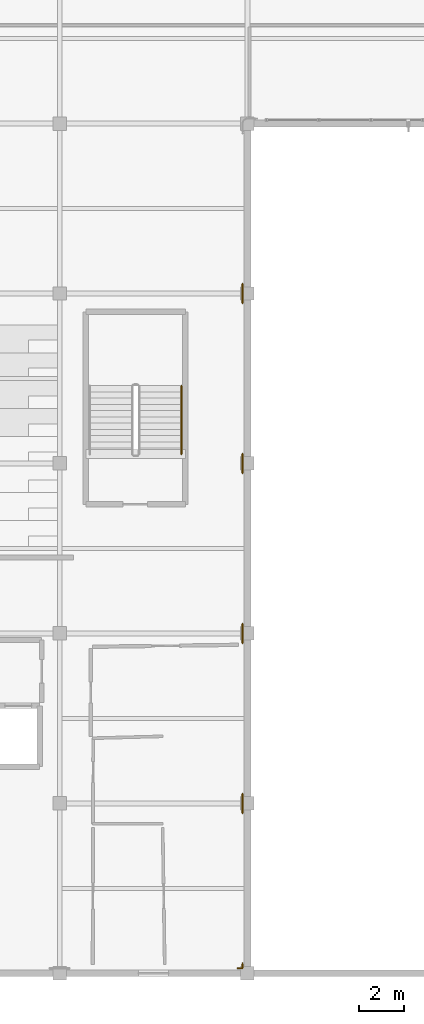
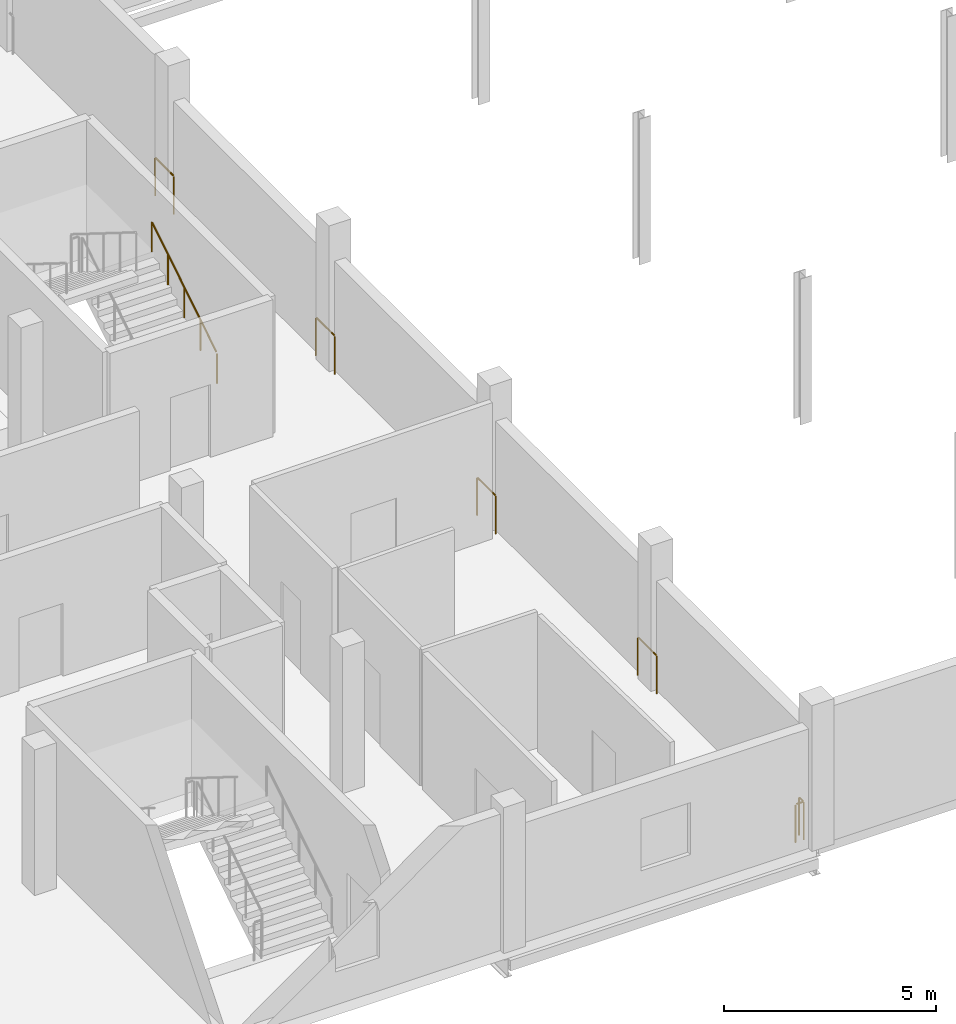
# One storey, part 210 of 217: 6 railings.
"""IFC4 building model written with IfcOpenShell, lengths in metres."""

from ifc_helpers import new_model, si_unit, direction, frame, origin, origin_2d, place, context, subcontext, project, spatial, circle, extrude, material, type_object, element, save


model = new_model("IFC4")

# Units and contexts
model_context = context("Model", 3, precision=1e-05, world=origin(), true_north=direction((0.0, 1.0)))
body_context = subcontext(model_context, "Body", "Model", "MODEL_VIEW")
ifc_project = project(units=[si_unit("LENGTHUNIT", "METRE"), si_unit("AREAUNIT", "SQUARE_METRE"), si_unit("VOLUMEUNIT", "CUBIC_METRE"), si_unit("PLANEANGLEUNIT", "RADIAN"), si_unit("MASSUNIT", "GRAM", prefix="KILO")], contexts=[model_context])

# Site, building, storey
site_placement = place(None, origin())
site = spatial("IfcSite", under=ifc_project, at=site_placement, CompositionType="ELEMENT")
building_placement = place(site_placement, origin())
building = spatial("IfcBuilding", under=site, at=building_placement, Name="Zuvorla Pavilion Media Centre", CompositionType="ELEMENT")
storey_placement = place(building_placement, frame((0.0, 0.0, 9.60009765625)))
storey = spatial("IfcBuildingStorey", under=building, at=storey_placement, Name="L02", CompositionType="ELEMENT", Elevation=9.60009765625)

# Railings
ifc_material_1 = material(Name="Powder-coated steel balustrade guard", Category="steel")
railing_type_1 = type_object("IfcRailingType", Name="RL-INT-GRD", PredefinedType="BALUSTRADE", material=ifc_material_1)
railing_1_placement = place(storey_placement, frame((108.580078125, 36.840087890625, 0.0)))
element("IfcRailing", 1, at=railing_1_placement, inside=storey, type_object=railing_type_1, Name="L02 slab edge guard 66", PredefinedType="BALUSTRADE", context=body_context, shape_type="SweptSolid", body=[
    extrude(circle(Radius=0.02392578125, at=origin_2d()), frame((0.0, -0.02880859375, 1.09619140625), z_axis=(0.0, -1.0, 0.0), x_axis=(1.0, 0.0, 0.0)), (0.0, 0.0, 1.0), 0.822509765625),
    extrude(circle(Radius=0.02099609375, at=origin_2d()), origin(), (0.0, 0.0, 1.0), 1.070068359375),
    extrude(circle(Radius=0.02099609375, at=origin_2d()), frame((0.0, -0.880126953125, 0.0)), (0.0, 0.0, 1.0), 1.070068359375),
])
for number, where, name in (
    (2, (108.580078125, 29.239990234375, 0.0), "L02 slab edge guard 67"),
    (3, (108.580078125, 21.639892578125, 0.0), "L02 slab edge guard 68"),
):
    element("IfcRailing", number, at=place(storey_placement, frame(where)), inside=storey, type_object=railing_type_1, Name=name, PredefinedType="BALUSTRADE", context=body_context, shape_type="SweptSolid", body=[
        extrude(circle(Radius=0.02392578125, at=origin_2d()), frame((0.0, -0.02880859375, 1.09619140625), z_axis=(0.0, -1.0, 0.0), x_axis=(1.0, 0.0, 0.0)), (0.0, 0.0, 1.0), 0.822265625),
        extrude(circle(Radius=0.02099609375, at=origin_2d()), origin(), (0.0, 0.0, 1.0), 1.070068359375),
        extrude(circle(Radius=0.02099609375, at=origin_2d()), frame((0.0, -0.8798828125, 0.0)), (0.0, 0.0, 1.0), 1.070068359375),
    ])
railing_2_placement = place(storey_placement, frame((108.580078125, 14.0400390625, 0.0)))
element("IfcRailing", 4, at=railing_2_placement, inside=storey, type_object=railing_type_1, Name="L02 slab edge guard 69", PredefinedType="BALUSTRADE", context=body_context, shape_type="SweptSolid", body=[
    extrude(circle(Radius=0.02392578125, at=origin_2d()), frame((0.0, -0.02880859375, 1.09619140625), z_axis=(0.0, -1.0, 0.0), x_axis=(1.0, 0.0, 0.0)), (0.0, 0.0, 1.0), 0.822509765625),
    extrude(circle(Radius=0.02099609375, at=origin_2d()), origin(), (0.0, 0.0, 1.0), 1.070068359375),
    extrude(circle(Radius=0.02099609375, at=origin_2d()), frame((0.0, -0.880126953125, 0.0)), (0.0, 0.0, 1.0), 1.070068359375),
])
railing_3_placement = place(storey_placement, frame((108.580078125, 6.43994140625, 0.0)))
element("IfcRailing", 5, at=railing_3_placement, inside=storey, type_object=railing_type_1, Name="L02 slab edge guard 70", PredefinedType="BALUSTRADE", context=body_context, shape_type="SweptSolid", body=[
    extrude(circle(Radius=0.02392578125, at=origin_2d()), frame((0.0, -0.02880859375, 1.09619140625), z_axis=(0.0, -1.0, 0.0), x_axis=(1.0, 0.0, 0.0)), (0.0, 0.0, 1.0), 0.162353515625),
    extrude(circle(Radius=0.02392578125, at=origin_2d()), frame((-0.02880859375, -0.219970703125, 1.09619140625), z_axis=(-1.0, 0.0, 0.0), x_axis=(0.0, -1.0, 0.0)), (0.0, 0.0, 1.0), 0.162353515625),
    extrude(circle(Radius=0.02099609375, at=origin_2d()), origin(), (0.0, 0.0, 1.0), 1.070068359375),
    extrude(circle(Radius=0.02099609375, at=origin_2d()), frame((0.0, -0.219970703125, 0.0)), (0.0, 0.0, 1.0), 1.070068359375),
    extrude(circle(Radius=0.02099609375, at=origin_2d()), frame((-0.219970703125, -0.219970703125, 0.0)), (0.0, 0.0, 1.0), 1.070068359375),
])
ifc_material_2 = material(Name="Brushed stainless steel tubular handrail", Category="steel")
railing_type_2 = type_object("IfcRailingType", Name="RL-INT-HND", PredefinedType="HANDRAIL", material=ifc_material_2)
railing_4_placement = place(storey_placement, frame((105.85009765625, 29.199951171875, 0.1748046875)))
element("IfcRailing", 6, at=railing_4_placement, inside=storey, type_object=railing_type_2, Name="L02 ST-04 handrail 1", PredefinedType="HANDRAIL", context=body_context, shape_type="SweptSolid", body=[
    extrude(circle(Radius=0.02392578125, at=origin_2d()), frame((0.0, 0.0244140625, 0.89111328125), z_axis=(0.0, 0.847998304005, 0.529998940003), x_axis=(-1.0, 0.0, 0.0)), (0.0, 0.0, 1.0), 3.574462890625),
    extrude(circle(Radius=0.02099609375, at=origin_2d()), origin(), (0.0, 0.0, 1.0), 0.849853515625),
    extrude(circle(Radius=0.02099609375, at=origin_2d()), frame((0.0, 0.77001953125, 0.481201171875)), (0.0, 0.0, 1.0), 0.849853515625),
    extrude(circle(Radius=0.02099609375, at=origin_2d()), frame((0.0, 1.5400390625, 0.96240234375)), (0.0, 0.0, 1.0), 0.849853515625),
    extrude(circle(Radius=0.02099609375, at=origin_2d()), frame((0.0, 2.31005859375, 1.44384765625)), (0.0, 0.0, 1.0), 0.849853515625),
    extrude(circle(Radius=0.02099609375, at=origin_2d()), frame((0.0, 3.080078125, 1.925048828125)), (0.0, 0.0, 1.0), 0.849853515625),
])

save(model, "model.ifc")
